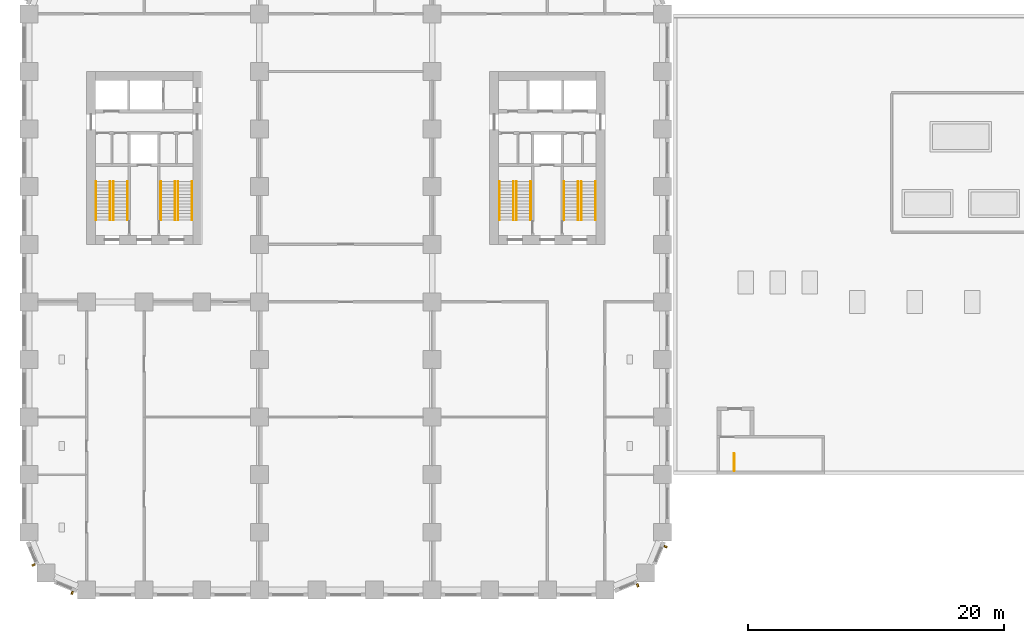
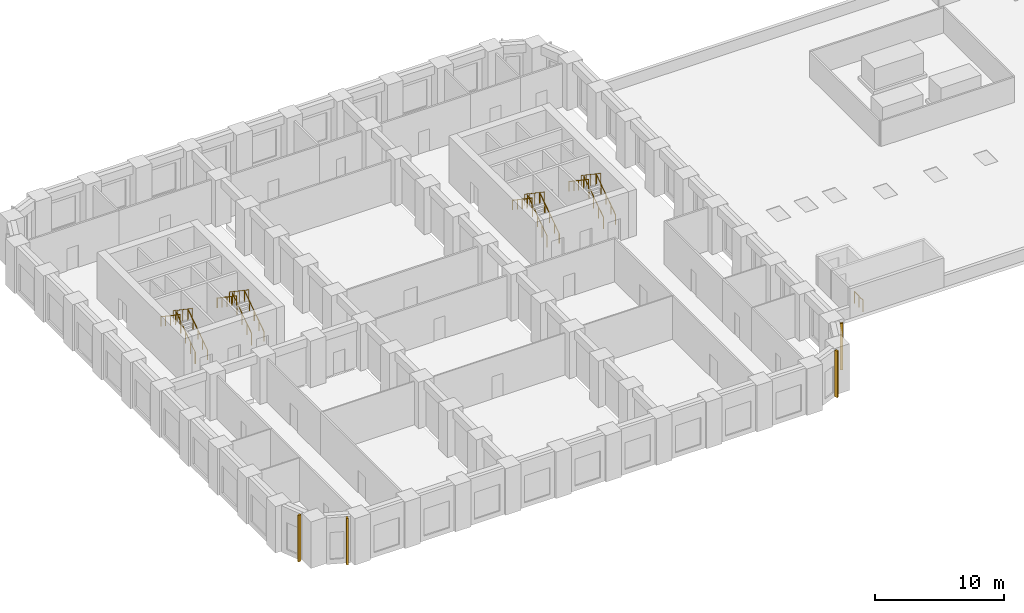
# One storey, part 10 of 14: 17 railings, 4 shading devices.
"""IFC4 building model written with IfcOpenShell, lengths in metres."""

from ifc_helpers import new_model, si_unit, direction, frame, origin, origin_2d, place, context, subcontext, project, spatial, rectangle, circle, extrude, material, type_object, element, save


model = new_model("IFC4")

# Units and contexts
model_context = context("Model", 3, precision=1e-05, world=origin(), true_north=direction((0.0, 1.0)))
body_context = subcontext(model_context, "Body", "Model", "MODEL_VIEW")
ifc_project = project(units=[si_unit("LENGTHUNIT", "METRE"), si_unit("AREAUNIT", "SQUARE_METRE"), si_unit("VOLUMEUNIT", "CUBIC_METRE"), si_unit("PLANEANGLEUNIT", "RADIAN"), si_unit("MASSUNIT", "GRAM", prefix="KILO")], contexts=[model_context])

# Site, building, storey
site_placement = place(None, origin())
site = spatial("IfcSite", under=ifc_project, at=site_placement, CompositionType="ELEMENT")
building_placement = place(site_placement, origin())
building = spatial("IfcBuilding", under=site, at=building_placement, Name="Girih Gate Residences", CompositionType="ELEMENT")
storey_placement = place(building_placement, frame((0.0, 0.0, 26.0)))
storey = spatial("IfcBuildingStorey", under=building, at=storey_placement, Name="L05", CompositionType="ELEMENT", Elevation=26.0)

# Shading devices
ifc_material_1 = material(Name="Precast concrete C50/60", Category="concrete")
shading_device_type = type_object("IfcShadingDeviceType", Name="Corner rib 150x250", PredefinedType="USERDEFINED", material=ifc_material_1)
for number, where, z_axis, x_axis, name in (
    (1, (0.35498046875, 1.9443359375, 0.0), (0.0, 0.0, 1.0), (0.382683432365, -0.923879532511, 0.0), "Corner rib SW0000_0045.0"),
    (2, (3.376220703125, -0.238037109375, 0.0), (0.0, 0.0, 1.0), (0.923879532511, -0.382683432365, 0.0), "Corner rib SW0013_0013.0"),
    (3, (47.5556640625, 0.35498046875, 0.0), (0.0, 0.0, 1.0), (0.923879532511, 0.382683432365, 0.0), "Corner rib SE0450_0000.0"),
    (4, (49.738037109375, 3.376220703125, 0.0), (0.0, 0.0, 1.0), (0.382683432365, 0.923879532511, 0.0), "Corner rib SE0482_0013.0"),
):
    element("IfcShadingDevice", number, at=place(storey_placement, frame(where, z_axis=z_axis, x_axis=x_axis)), inside=storey, type_object=shading_device_type, Name=name, ObjectType="FIN", PredefinedType="USERDEFINED", context=body_context, shape_type="SweptSolid", body=[
        extrude(rectangle(XDim=0.14990234375, YDim=0.25, at=origin_2d()), origin(), (0.0, 0.0, 1.0), 4.39990234375),
    ])

# Railings
ifc_material_2 = material(Name="Stainless steel railing", Category="steel")
railing_type_1 = type_object("IfcRailingType", Name="HC Guard 1100", PredefinedType="GUARDRAIL", material=ifc_material_2)
railing_1_placement = place(storey_placement, frame((55.10009765625, 9.300048828125, 0.0)))
element("IfcRailing", 5, at=railing_1_placement, inside=storey, type_object=railing_type_1, Name="L05 HC-STA top well guard 1", PredefinedType="GUARDRAIL", context=body_context, shape_type="SweptSolid", body=[
    extrude(circle(Radius=0.02392578125, at=origin_2d()), frame((0.0, 0.0, 1.076171875), z_axis=(0.0, 1.0, 0.0), x_axis=(-1.0, 0.0, 0.0)), (0.0, 0.0, 1.0), 1.349853515625),
    extrude(circle(Radius=0.02099609375, at=origin_2d()), origin(), (0.0, 0.0, 1.0), 1.052001953125),
    extrude(circle(Radius=0.02099609375, at=origin_2d()), frame((0.0, 0.6748046875, 0.0)), (0.0, 0.0, 1.0), 1.052001953125),
    extrude(circle(Radius=0.02099609375, at=origin_2d()), frame((0.0, 1.349853515625, 0.0)), (0.0, 0.0, 1.0), 1.052001953125),
])
ifc_material_3 = material(Name="Stainless steel", Category="steel")
railing_type_2 = type_object("IfcRailingType", Name="Stair guard 1100", PredefinedType="GUARDRAIL", material=ifc_material_3)
railing_2_placement = place(storey_placement, frame((6.60009765625, 28.89990234375, 0.169189453125)))
element("IfcRailing", 6, at=railing_2_placement, inside=storey, type_object=railing_type_2, Name="L05 ST-W1 stair guard 1", PredefinedType="GUARDRAIL", context=body_context, shape_type="SweptSolid", body=[
    extrude(circle(Radius=0.02392578125, at=origin_2d()), frame((0.0, 0.0, 1.076171875), z_axis=(0.0, 0.828110434718, 0.560564989908), x_axis=(-1.0, 0.0, 0.0)), (0.0, 0.0, 1.0), 3.622802734375),
    extrude(circle(Radius=0.02099609375, at=origin_2d()), origin(), (0.0, 0.0, 1.0), 1.052001953125),
    extrude(circle(Radius=0.02099609375, at=origin_2d()), frame((0.0, 0.75, 0.5078125)), (0.0, 0.0, 1.0), 1.052001953125),
    extrude(circle(Radius=0.02099609375, at=origin_2d()), frame((0.0, 1.5, 1.015380859375)), (0.0, 0.0, 1.0), 1.052001953125),
    extrude(circle(Radius=0.02099609375, at=origin_2d()), frame((0.0, 2.25, 1.52294921875)), (0.0, 0.0, 1.0), 1.052001953125),
    extrude(circle(Radius=0.02099609375, at=origin_2d()), frame((0.0, 3.0, 2.03076171875)), (0.0, 0.0, 1.0), 1.052001953125),
])
railing_3_placement = place(storey_placement, frame((6.35009765625, 31.89990234375, 2.369140625)))
element("IfcRailing", 7, at=railing_3_placement, inside=storey, type_object=railing_type_2, Name="L05 ST-W1 stair guard 2", PredefinedType="GUARDRAIL", context=body_context, shape_type="SweptSolid", body=[
    extrude(circle(Radius=0.02392578125, at=origin_2d()), frame((0.0, 0.0, 1.076171875), z_axis=(0.0, -0.828110434718, 0.560564989908), x_axis=(1.0, 0.0, 0.0)), (0.0, 0.0, 1.0), 3.622802734375),
    extrude(circle(Radius=0.02099609375, at=origin_2d()), origin(), (0.0, 0.0, 1.0), 1.052001953125),
    extrude(circle(Radius=0.02099609375, at=origin_2d()), frame((0.0, -0.75, 0.5078125)), (0.0, 0.0, 1.0), 1.052001953125),
    extrude(circle(Radius=0.02099609375, at=origin_2d()), frame((0.0, -1.5, 1.015380859375)), (0.0, 0.0, 1.0), 1.052001953125),
    extrude(circle(Radius=0.02099609375, at=origin_2d()), frame((0.0, -2.25, 1.52294921875)), (0.0, 0.0, 1.0), 1.052001953125),
    extrude(circle(Radius=0.02099609375, at=origin_2d()), frame((0.0, -3.0, 2.03076171875)), (0.0, 0.0, 1.0), 1.052001953125),
])
railing_4_placement = place(storey_placement, frame((11.64990234375, 28.89990234375, 0.169189453125)))
element("IfcRailing", 8, at=railing_4_placement, inside=storey, type_object=railing_type_2, Name="L05 ST-W2 stair guard 1", PredefinedType="GUARDRAIL", context=body_context, shape_type="SweptSolid", body=[
    extrude(circle(Radius=0.02392578125, at=origin_2d()), frame((0.0, 0.0, 1.076171875), z_axis=(0.0, 0.828110434718, 0.560564989908), x_axis=(-1.0, 0.0, 0.0)), (0.0, 0.0, 1.0), 3.622802734375),
    extrude(circle(Radius=0.02099609375, at=origin_2d()), origin(), (0.0, 0.0, 1.0), 1.052001953125),
    extrude(circle(Radius=0.02099609375, at=origin_2d()), frame((0.0, 0.75, 0.5078125)), (0.0, 0.0, 1.0), 1.052001953125),
    extrude(circle(Radius=0.02099609375, at=origin_2d()), frame((0.0, 1.5, 1.015380859375)), (0.0, 0.0, 1.0), 1.052001953125),
    extrude(circle(Radius=0.02099609375, at=origin_2d()), frame((0.0, 2.25, 1.52294921875)), (0.0, 0.0, 1.0), 1.052001953125),
    extrude(circle(Radius=0.02099609375, at=origin_2d()), frame((0.0, 3.0, 2.03076171875)), (0.0, 0.0, 1.0), 1.052001953125),
])
railing_5_placement = place(storey_placement, frame((11.39990234375, 31.89990234375, 2.369140625)))
element("IfcRailing", 9, at=railing_5_placement, inside=storey, type_object=railing_type_2, Name="L05 ST-W2 stair guard 2", PredefinedType="GUARDRAIL", context=body_context, shape_type="SweptSolid", body=[
    extrude(circle(Radius=0.02392578125, at=origin_2d()), frame((0.0, 0.0, 1.076171875), z_axis=(0.0, -0.828110434718, 0.560564989908), x_axis=(1.0, 0.0, 0.0)), (0.0, 0.0, 1.0), 3.622802734375),
    extrude(circle(Radius=0.02099609375, at=origin_2d()), origin(), (0.0, 0.0, 1.0), 1.052001953125),
    extrude(circle(Radius=0.02099609375, at=origin_2d()), frame((0.0, -0.75, 0.5078125)), (0.0, 0.0, 1.0), 1.052001953125),
    extrude(circle(Radius=0.02099609375, at=origin_2d()), frame((0.0, -1.5, 1.015380859375)), (0.0, 0.0, 1.0), 1.052001953125),
    extrude(circle(Radius=0.02099609375, at=origin_2d()), frame((0.0, -2.25, 1.52294921875)), (0.0, 0.0, 1.0), 1.052001953125),
    extrude(circle(Radius=0.02099609375, at=origin_2d()), frame((0.0, -3.0, 2.03076171875)), (0.0, 0.0, 1.0), 1.052001953125),
])
railing_6_placement = place(storey_placement, frame((43.14990234375, 28.89990234375, 0.169189453125)))
element("IfcRailing", 10, at=railing_6_placement, inside=storey, type_object=railing_type_2, Name="L05 ST-E1 stair guard 1", PredefinedType="GUARDRAIL", context=body_context, shape_type="SweptSolid", body=[
    extrude(circle(Radius=0.02392578125, at=origin_2d()), frame((0.0, 0.0, 1.076171875), z_axis=(0.0, 0.828110434718, 0.560564989908), x_axis=(-1.0, 0.0, 0.0)), (0.0, 0.0, 1.0), 3.622802734375),
    extrude(circle(Radius=0.02099609375, at=origin_2d()), origin(), (0.0, 0.0, 1.0), 1.052001953125),
    extrude(circle(Radius=0.02099609375, at=origin_2d()), frame((0.0, 0.75, 0.5078125)), (0.0, 0.0, 1.0), 1.052001953125),
    extrude(circle(Radius=0.02099609375, at=origin_2d()), frame((0.0, 1.5, 1.015380859375)), (0.0, 0.0, 1.0), 1.052001953125),
    extrude(circle(Radius=0.02099609375, at=origin_2d()), frame((0.0, 2.25, 1.52294921875)), (0.0, 0.0, 1.0), 1.052001953125),
    extrude(circle(Radius=0.02099609375, at=origin_2d()), frame((0.0, 3.0, 2.03076171875)), (0.0, 0.0, 1.0), 1.052001953125),
])
railing_7_placement = place(storey_placement, frame((42.89990234375, 31.89990234375, 2.369140625)))
element("IfcRailing", 11, at=railing_7_placement, inside=storey, type_object=railing_type_2, Name="L05 ST-E1 stair guard 2", PredefinedType="GUARDRAIL", context=body_context, shape_type="SweptSolid", body=[
    extrude(circle(Radius=0.02392578125, at=origin_2d()), frame((0.0, 0.0, 1.076171875), z_axis=(0.0, -0.828110434718, 0.560564989908), x_axis=(1.0, 0.0, 0.0)), (0.0, 0.0, 1.0), 3.622802734375),
    extrude(circle(Radius=0.02099609375, at=origin_2d()), origin(), (0.0, 0.0, 1.0), 1.052001953125),
    extrude(circle(Radius=0.02099609375, at=origin_2d()), frame((0.0, -0.75, 0.5078125)), (0.0, 0.0, 1.0), 1.052001953125),
    extrude(circle(Radius=0.02099609375, at=origin_2d()), frame((0.0, -1.5, 1.015380859375)), (0.0, 0.0, 1.0), 1.052001953125),
    extrude(circle(Radius=0.02099609375, at=origin_2d()), frame((0.0, -2.25, 1.52294921875)), (0.0, 0.0, 1.0), 1.052001953125),
    extrude(circle(Radius=0.02099609375, at=origin_2d()), frame((0.0, -3.0, 2.03076171875)), (0.0, 0.0, 1.0), 1.052001953125),
])
railing_8_placement = place(storey_placement, frame((38.10009765625, 28.89990234375, 0.169189453125)))
element("IfcRailing", 12, at=railing_8_placement, inside=storey, type_object=railing_type_2, Name="L05 ST-E2 stair guard 1", PredefinedType="GUARDRAIL", context=body_context, shape_type="SweptSolid", body=[
    extrude(circle(Radius=0.02392578125, at=origin_2d()), frame((0.0, 0.0, 1.076171875), z_axis=(0.0, 0.828110434718, 0.560564989908), x_axis=(-1.0, 0.0, 0.0)), (0.0, 0.0, 1.0), 3.622802734375),
    extrude(circle(Radius=0.02099609375, at=origin_2d()), origin(), (0.0, 0.0, 1.0), 1.052001953125),
    extrude(circle(Radius=0.02099609375, at=origin_2d()), frame((0.0, 0.75, 0.5078125)), (0.0, 0.0, 1.0), 1.052001953125),
    extrude(circle(Radius=0.02099609375, at=origin_2d()), frame((0.0, 1.5, 1.015380859375)), (0.0, 0.0, 1.0), 1.052001953125),
    extrude(circle(Radius=0.02099609375, at=origin_2d()), frame((0.0, 2.25, 1.52294921875)), (0.0, 0.0, 1.0), 1.052001953125),
    extrude(circle(Radius=0.02099609375, at=origin_2d()), frame((0.0, 3.0, 2.03076171875)), (0.0, 0.0, 1.0), 1.052001953125),
])
railing_9_placement = place(storey_placement, frame((37.85009765625, 31.89990234375, 2.369140625)))
element("IfcRailing", 13, at=railing_9_placement, inside=storey, type_object=railing_type_2, Name="L05 ST-E2 stair guard 2", PredefinedType="GUARDRAIL", context=body_context, shape_type="SweptSolid", body=[
    extrude(circle(Radius=0.02392578125, at=origin_2d()), frame((0.0, 0.0, 1.076171875), z_axis=(0.0, -0.828110434718, 0.560564989908), x_axis=(1.0, 0.0, 0.0)), (0.0, 0.0, 1.0), 3.622802734375),
    extrude(circle(Radius=0.02099609375, at=origin_2d()), origin(), (0.0, 0.0, 1.0), 1.052001953125),
    extrude(circle(Radius=0.02099609375, at=origin_2d()), frame((0.0, -0.75, 0.5078125)), (0.0, 0.0, 1.0), 1.052001953125),
    extrude(circle(Radius=0.02099609375, at=origin_2d()), frame((0.0, -1.5, 1.015380859375)), (0.0, 0.0, 1.0), 1.052001953125),
    extrude(circle(Radius=0.02099609375, at=origin_2d()), frame((0.0, -2.25, 1.52294921875)), (0.0, 0.0, 1.0), 1.052001953125),
    extrude(circle(Radius=0.02099609375, at=origin_2d()), frame((0.0, -3.0, 2.03076171875)), (0.0, 0.0, 1.0), 1.052001953125),
])
railing_type_3 = type_object("IfcRailingType", Name="Stair handrail 900", PredefinedType="HANDRAIL", material=ifc_material_3)
railing_10_placement = place(storey_placement, frame((7.699951171875, 28.89990234375, 0.169189453125)))
element("IfcRailing", 14, at=railing_10_placement, inside=storey, type_object=railing_type_3, Name="L05 ST-W1 stair handrail 1", PredefinedType="HANDRAIL", context=body_context, shape_type="SweptSolid", body=[
    extrude(circle(Radius=0.02392578125, at=origin_2d()), frame((0.0, 0.0, 0.8857421875), z_axis=(0.0, 0.828110434718, 0.560564989908), x_axis=(-1.0, 0.0, 0.0)), (0.0, 0.0, 1.0), 3.622802734375),
    extrude(circle(Radius=0.02099609375, at=origin_2d()), origin(), (0.0, 0.0, 1.0), 0.86181640625),
    extrude(circle(Radius=0.02099609375, at=origin_2d()), frame((0.0, 0.75, 0.5078125)), (0.0, 0.0, 1.0), 0.86181640625),
    extrude(circle(Radius=0.02099609375, at=origin_2d()), frame((0.0, 1.5, 1.015380859375)), (0.0, 0.0, 1.0), 0.86181640625),
    extrude(circle(Radius=0.02099609375, at=origin_2d()), frame((0.0, 2.25, 1.52294921875)), (0.0, 0.0, 1.0), 0.86181640625),
    extrude(circle(Radius=0.02099609375, at=origin_2d()), frame((0.0, 3.0, 2.03076171875)), (0.0, 0.0, 1.0), 0.86181640625),
])
railing_11_placement = place(storey_placement, frame((5.25, 31.89990234375, 2.369140625)))
element("IfcRailing", 15, at=railing_11_placement, inside=storey, type_object=railing_type_3, Name="L05 ST-W1 stair handrail 2", PredefinedType="HANDRAIL", context=body_context, shape_type="SweptSolid", body=[
    extrude(circle(Radius=0.02392578125, at=origin_2d()), frame((0.0, 0.0, 0.8857421875), z_axis=(0.0, -0.828110434718, 0.560564989908), x_axis=(1.0, 0.0, 0.0)), (0.0, 0.0, 1.0), 3.622802734375),
    extrude(circle(Radius=0.02099609375, at=origin_2d()), origin(), (0.0, 0.0, 1.0), 0.86181640625),
    extrude(circle(Radius=0.02099609375, at=origin_2d()), frame((0.0, -0.75, 0.5078125)), (0.0, 0.0, 1.0), 0.86181640625),
    extrude(circle(Radius=0.02099609375, at=origin_2d()), frame((0.0, -1.5, 1.015380859375)), (0.0, 0.0, 1.0), 0.86181640625),
    extrude(circle(Radius=0.02099609375, at=origin_2d()), frame((0.0, -2.25, 1.52294921875)), (0.0, 0.0, 1.0), 0.86181640625),
    extrude(circle(Radius=0.02099609375, at=origin_2d()), frame((0.0, -3.0, 2.03076171875)), (0.0, 0.0, 1.0), 0.86181640625),
])
railing_12_placement = place(storey_placement, frame((12.75, 28.89990234375, 0.169189453125)))
element("IfcRailing", 16, at=railing_12_placement, inside=storey, type_object=railing_type_3, Name="L05 ST-W2 stair handrail 1", PredefinedType="HANDRAIL", context=body_context, shape_type="SweptSolid", body=[
    extrude(circle(Radius=0.02392578125, at=origin_2d()), frame((0.0, 0.0, 0.8857421875), z_axis=(0.0, 0.828110434718, 0.560564989908), x_axis=(-1.0, 0.0, 0.0)), (0.0, 0.0, 1.0), 3.622802734375),
    extrude(circle(Radius=0.02099609375, at=origin_2d()), origin(), (0.0, 0.0, 1.0), 0.86181640625),
    extrude(circle(Radius=0.02099609375, at=origin_2d()), frame((0.0, 0.75, 0.5078125)), (0.0, 0.0, 1.0), 0.86181640625),
    extrude(circle(Radius=0.02099609375, at=origin_2d()), frame((0.0, 1.5, 1.015380859375)), (0.0, 0.0, 1.0), 0.86181640625),
    extrude(circle(Radius=0.02099609375, at=origin_2d()), frame((0.0, 2.25, 1.52294921875)), (0.0, 0.0, 1.0), 0.86181640625),
    extrude(circle(Radius=0.02099609375, at=origin_2d()), frame((0.0, 3.0, 2.03076171875)), (0.0, 0.0, 1.0), 0.86181640625),
])
railing_13_placement = place(storey_placement, frame((10.300048828125, 31.89990234375, 2.369140625)))
element("IfcRailing", 17, at=railing_13_placement, inside=storey, type_object=railing_type_3, Name="L05 ST-W2 stair handrail 2", PredefinedType="HANDRAIL", context=body_context, shape_type="SweptSolid", body=[
    extrude(circle(Radius=0.02392578125, at=origin_2d()), frame((0.0, 0.0, 0.8857421875), z_axis=(0.0, -0.828110434718, 0.560564989908), x_axis=(1.0, 0.0, 0.0)), (0.0, 0.0, 1.0), 3.622802734375),
    extrude(circle(Radius=0.02099609375, at=origin_2d()), origin(), (0.0, 0.0, 1.0), 0.86181640625),
    extrude(circle(Radius=0.02099609375, at=origin_2d()), frame((0.0, -0.75, 0.5078125)), (0.0, 0.0, 1.0), 0.86181640625),
    extrude(circle(Radius=0.02099609375, at=origin_2d()), frame((0.0, -1.5, 1.015380859375)), (0.0, 0.0, 1.0), 0.86181640625),
    extrude(circle(Radius=0.02099609375, at=origin_2d()), frame((0.0, -2.25, 1.52294921875)), (0.0, 0.0, 1.0), 0.86181640625),
    extrude(circle(Radius=0.02099609375, at=origin_2d()), frame((0.0, -3.0, 2.03076171875)), (0.0, 0.0, 1.0), 0.86181640625),
])
railing_14_placement = place(storey_placement, frame((44.25, 28.89990234375, 0.169189453125)))
element("IfcRailing", 18, at=railing_14_placement, inside=storey, type_object=railing_type_3, Name="L05 ST-E1 stair handrail 1", PredefinedType="HANDRAIL", context=body_context, shape_type="SweptSolid", body=[
    extrude(circle(Radius=0.02392578125, at=origin_2d()), frame((0.0, 0.0, 0.8857421875), z_axis=(0.0, 0.828110434718, 0.560564989908), x_axis=(-1.0, 0.0, 0.0)), (0.0, 0.0, 1.0), 3.622802734375),
    extrude(circle(Radius=0.02099609375, at=origin_2d()), origin(), (0.0, 0.0, 1.0), 0.86181640625),
    extrude(circle(Radius=0.02099609375, at=origin_2d()), frame((0.0, 0.75, 0.5078125)), (0.0, 0.0, 1.0), 0.86181640625),
    extrude(circle(Radius=0.02099609375, at=origin_2d()), frame((0.0, 1.5, 1.015380859375)), (0.0, 0.0, 1.0), 0.86181640625),
    extrude(circle(Radius=0.02099609375, at=origin_2d()), frame((0.0, 2.25, 1.52294921875)), (0.0, 0.0, 1.0), 0.86181640625),
    extrude(circle(Radius=0.02099609375, at=origin_2d()), frame((0.0, 3.0, 2.03076171875)), (0.0, 0.0, 1.0), 0.86181640625),
])
railing_15_placement = place(storey_placement, frame((41.800048828125, 31.89990234375, 2.369140625)))
element("IfcRailing", 19, at=railing_15_placement, inside=storey, type_object=railing_type_3, Name="L05 ST-E1 stair handrail 2", PredefinedType="HANDRAIL", context=body_context, shape_type="SweptSolid", body=[
    extrude(circle(Radius=0.02392578125, at=origin_2d()), frame((0.0, 0.0, 0.8857421875), z_axis=(0.0, -0.828110434718, 0.560564989908), x_axis=(1.0, 0.0, 0.0)), (0.0, 0.0, 1.0), 3.622802734375),
    extrude(circle(Radius=0.02099609375, at=origin_2d()), origin(), (0.0, 0.0, 1.0), 0.86181640625),
    extrude(circle(Radius=0.02099609375, at=origin_2d()), frame((0.0, -0.75, 0.5078125)), (0.0, 0.0, 1.0), 0.86181640625),
    extrude(circle(Radius=0.02099609375, at=origin_2d()), frame((0.0, -1.5, 1.015380859375)), (0.0, 0.0, 1.0), 0.86181640625),
    extrude(circle(Radius=0.02099609375, at=origin_2d()), frame((0.0, -2.25, 1.52294921875)), (0.0, 0.0, 1.0), 0.86181640625),
    extrude(circle(Radius=0.02099609375, at=origin_2d()), frame((0.0, -3.0, 2.03076171875)), (0.0, 0.0, 1.0), 0.86181640625),
])
railing_16_placement = place(storey_placement, frame((39.199951171875, 28.89990234375, 0.169189453125)))
element("IfcRailing", 20, at=railing_16_placement, inside=storey, type_object=railing_type_3, Name="L05 ST-E2 stair handrail 1", PredefinedType="HANDRAIL", context=body_context, shape_type="SweptSolid", body=[
    extrude(circle(Radius=0.02392578125, at=origin_2d()), frame((0.0, 0.0, 0.8857421875), z_axis=(0.0, 0.828110434718, 0.560564989908), x_axis=(-1.0, 0.0, 0.0)), (0.0, 0.0, 1.0), 3.622802734375),
    extrude(circle(Radius=0.02099609375, at=origin_2d()), origin(), (0.0, 0.0, 1.0), 0.86181640625),
    extrude(circle(Radius=0.02099609375, at=origin_2d()), frame((0.0, 0.75, 0.5078125)), (0.0, 0.0, 1.0), 0.86181640625),
    extrude(circle(Radius=0.02099609375, at=origin_2d()), frame((0.0, 1.5, 1.015380859375)), (0.0, 0.0, 1.0), 0.86181640625),
    extrude(circle(Radius=0.02099609375, at=origin_2d()), frame((0.0, 2.25, 1.52294921875)), (0.0, 0.0, 1.0), 0.86181640625),
    extrude(circle(Radius=0.02099609375, at=origin_2d()), frame((0.0, 3.0, 2.03076171875)), (0.0, 0.0, 1.0), 0.86181640625),
])
railing_17_placement = place(storey_placement, frame((36.75, 31.89990234375, 2.369140625)))
element("IfcRailing", 21, at=railing_17_placement, inside=storey, type_object=railing_type_3, Name="L05 ST-E2 stair handrail 2", PredefinedType="HANDRAIL", context=body_context, shape_type="SweptSolid", body=[
    extrude(circle(Radius=0.02392578125, at=origin_2d()), frame((0.0, 0.0, 0.8857421875), z_axis=(0.0, -0.828110434718, 0.560564989908), x_axis=(1.0, 0.0, 0.0)), (0.0, 0.0, 1.0), 3.622802734375),
    extrude(circle(Radius=0.02099609375, at=origin_2d()), origin(), (0.0, 0.0, 1.0), 0.86181640625),
    extrude(circle(Radius=0.02099609375, at=origin_2d()), frame((0.0, -0.75, 0.5078125)), (0.0, 0.0, 1.0), 0.86181640625),
    extrude(circle(Radius=0.02099609375, at=origin_2d()), frame((0.0, -1.5, 1.015380859375)), (0.0, 0.0, 1.0), 0.86181640625),
    extrude(circle(Radius=0.02099609375, at=origin_2d()), frame((0.0, -2.25, 1.52294921875)), (0.0, 0.0, 1.0), 0.86181640625),
    extrude(circle(Radius=0.02099609375, at=origin_2d()), frame((0.0, -3.0, 2.03076171875)), (0.0, 0.0, 1.0), 0.86181640625),
])

save(model, "model.ifc")
